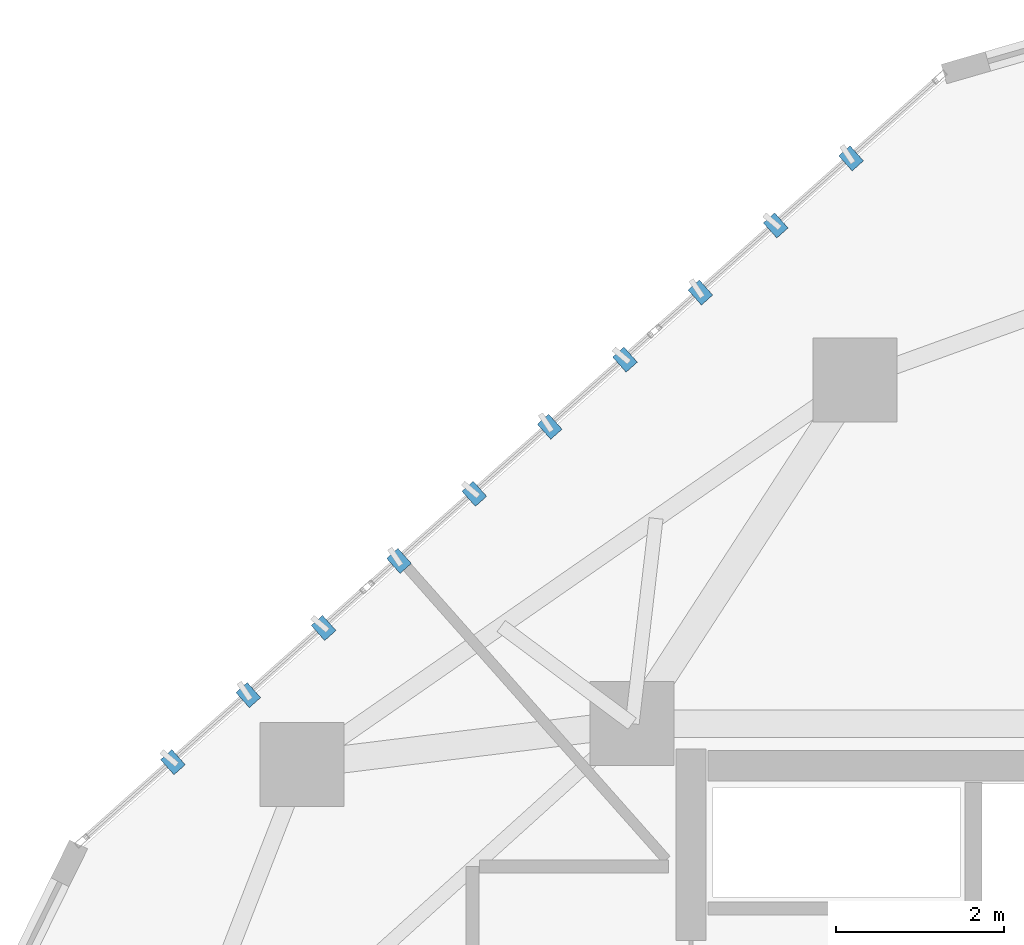
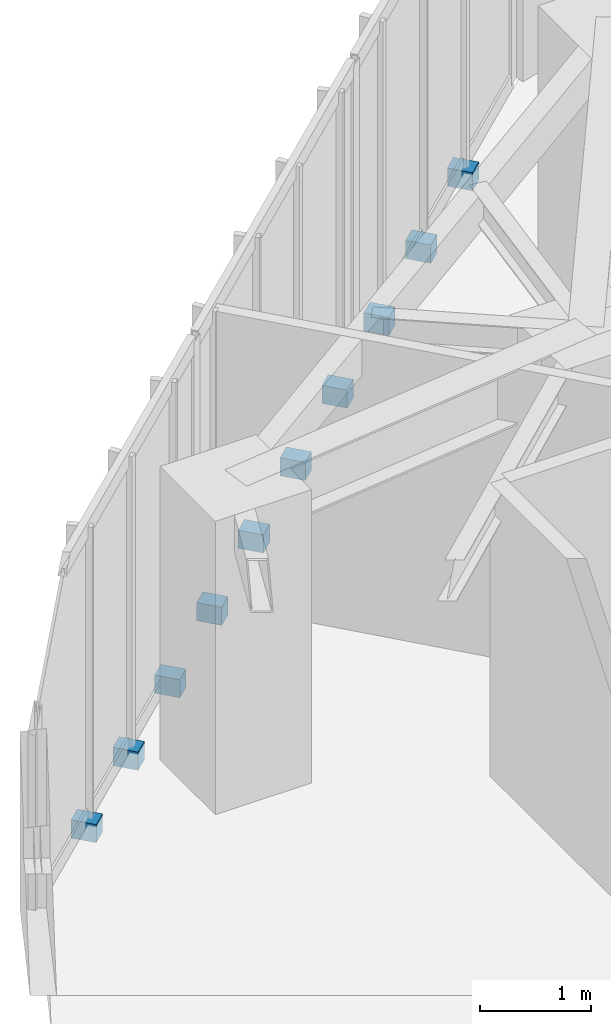
# One storey, part 18 of 20: 10 discrete accessories.
"""IFC4 building model written with IfcOpenShell, lengths in metres."""

from ifc_helpers import new_model, si_unit, direction, frame, origin, origin_2d, place, context, subcontext, project, spatial, rectangle, extrude, source, transform, mapped, material, type_object, type_shapes, element, save


model = new_model("IFC4")

# Units and contexts
model_context = context("Model", 3, precision=1e-05, world=origin(), true_north=direction((0.0, 1.0)))
body_context = subcontext(model_context, "Body", "Model", "MODEL_VIEW")
ifc_project = project(units=[si_unit("LENGTHUNIT", "METRE"), si_unit("AREAUNIT", "SQUARE_METRE"), si_unit("VOLUMEUNIT", "CUBIC_METRE"), si_unit("PLANEANGLEUNIT", "RADIAN"), si_unit("MASSUNIT", "GRAM", prefix="KILO")], contexts=[model_context])

# Site, building, storey
site_placement = place(None, origin())
site = spatial("IfcSite", under=ifc_project, at=site_placement, CompositionType="ELEMENT")
building_placement = place(site_placement, origin())
building = spatial("IfcBuilding", under=site, at=building_placement, Name="Talar Marvaseh", CompositionType="ELEMENT")
storey_placement = place(building_placement, frame((0.0, 0.0, 215.199951171875)))
storey = spatial("IfcBuildingStorey", under=building, at=storey_placement, Name="L56", CompositionType="ELEMENT", Elevation=215.199951171875)

# Discrete accessories
ifc_material = material(Name="Stainless Steel Grade 316", Category="steel")
discrete_accessory_type = type_object("IfcDiscreteAccessoryType", Name="Stainless Slab-Edge Fin Mounting Bracket", PredefinedType="BRACKET", material=ifc_material)
shared_shape = source(origin(), body_context, "Body", "SweptSolid", [
    extrude(rectangle(XDim=0.239990234375, YDim=0.179931640625, at=origin_2d()), origin(), (0.0, 0.0, 1.0), 0.199951171875),
])
type_shapes(discrete_accessory_type, [shared_shape])
for number, where, z_axis, x_axis, name in (
    (1, (13.2373046875, 36.44189453125, -0.1796875), (0.0, 0.0, 1.0), (-0.664969688239, 0.746870345992, 0.0), "L56 Vertical Fin Slab-Edge Bracket"),
    (2, (14.133544921875, 37.239990234375, -0.1796875), (0.0, 0.0, 1.0), (-0.664969688239, 0.746870345992, 0.0), "L56 Vertical Fin Slab-Edge Bracket"),
    (3, (15.02978515625, 38.0380859375, -0.1796875), (0.0, 0.0, 1.0), (-0.664969688239, 0.746870345992, 0.0), "L56 Vertical Fin Slab-Edge Bracket"),
    (4, (15.92578125, 38.8359375, -0.1796875), (0.0, 0.0, 1.0), (-0.664969688239, 0.746870345992, 0.0), "L56 Vertical Fin Slab-Edge Bracket"),
    (5, (16.822021484375, 39.634033203125, -0.1796875), (0.0, 0.0, 1.0), (-0.664969688239, 0.746870345992, 0.0), "L56 Vertical Fin Slab-Edge Bracket"),
    (6, (17.718505859375, 40.431884765625, -0.1796875), (0.0, 0.0, 1.0), (-0.664969688239, 0.746870345992, 0.0), "L56 Vertical Fin Slab-Edge Bracket"),
    (7, (18.614501953125, 41.22998046875, -0.1796875), (0.0, 0.0, 1.0), (-0.664969688239, 0.746870345992, 0.0), "L56 Vertical Fin Slab-Edge Bracket"),
    (8, (19.5107421875, 42.028076171875, -0.1796875), (0.0, 0.0, 1.0), (-0.664969688239, 0.746870345992, 0.0), "L56 Vertical Fin Slab-Edge Bracket"),
    (9, (20.406982421875, 42.825927734375, -0.1796875), (0.0, 0.0, 1.0), (-0.664969688239, 0.746870345992, 0.0), "L56 Vertical Fin Slab-Edge Bracket"),
    (10, (21.30322265625, 43.6240234375, -0.1796875), (0.0, 0.0, 1.0), (-0.664969688239, 0.746870345992, 0.0), "L56 Vertical Fin Slab-Edge Bracket"),
):
    element("IfcDiscreteAccessory", number, at=place(storey_placement, frame(where, z_axis=z_axis, x_axis=x_axis)), inside=storey, type_object=discrete_accessory_type, Name=name, PredefinedType="BRACKET", context=body_context, shape_type="MappedRepresentation", body=[
        mapped(shared_shape, transform((0.0, 0.0, 0.0), x_axis=(1.0, 0.0, 0.0), y_axis=(0.0, 1.0, 0.0), z_axis=(0.0, 0.0, 1.0), scale=1.0)),
    ])

save(model, "model.ifc")
